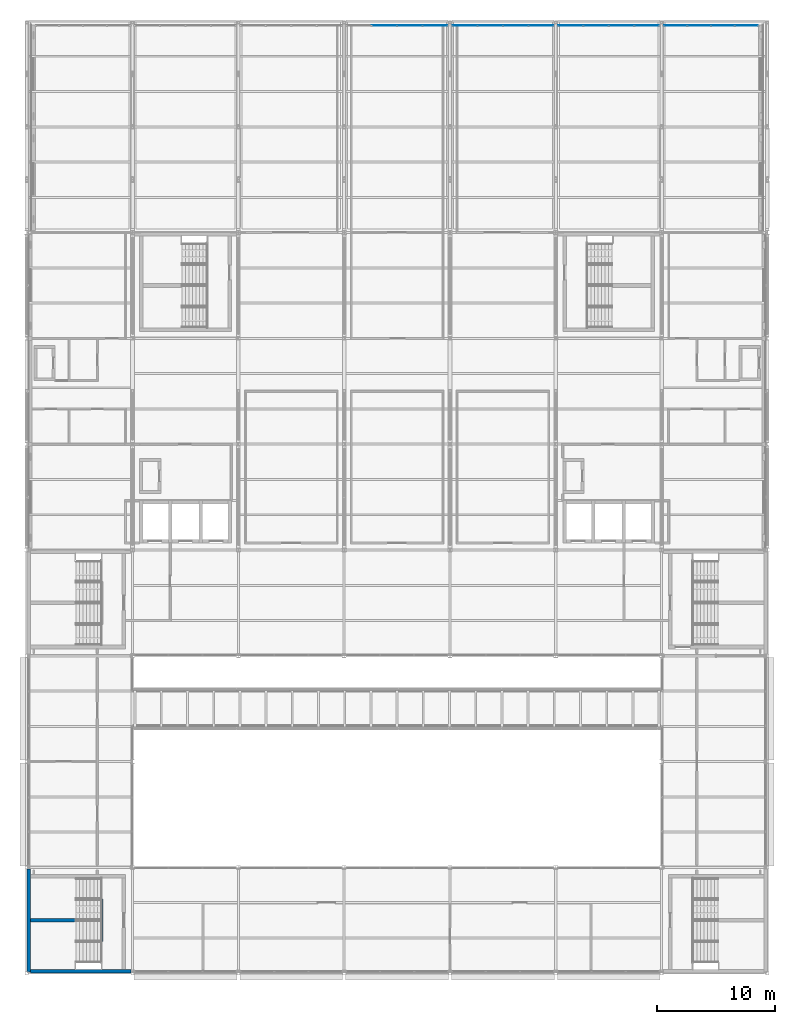
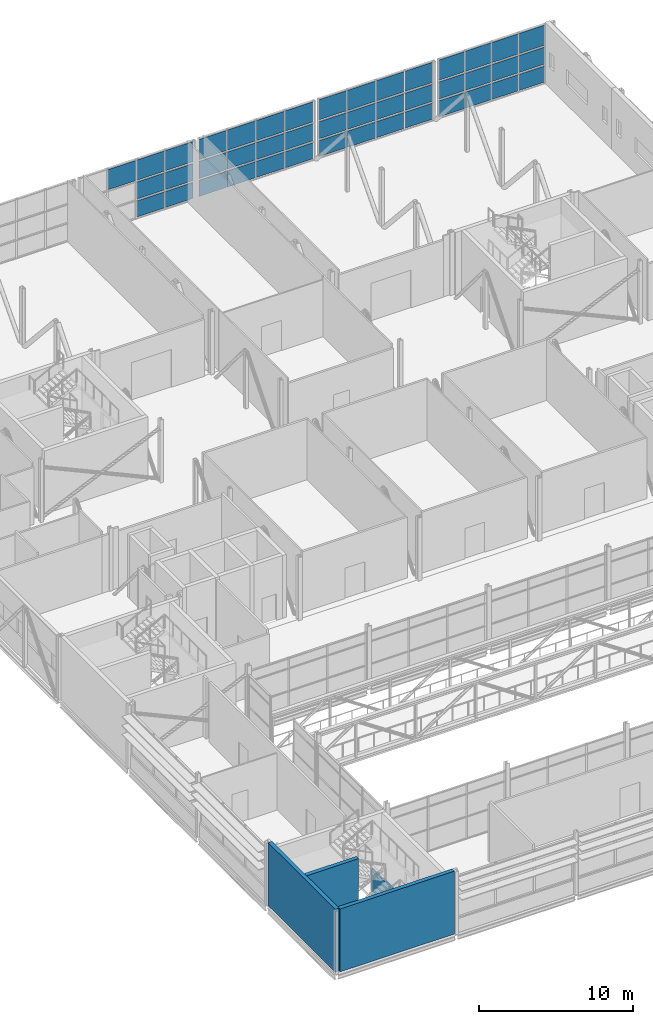
# One storey, part 75 of 94: 43 plates, 4 walls, 4 elements without a shape of their own.
"""IFC4 building model written with IfcOpenShell, lengths in metres."""

from ifc_helpers import new_model, si_unit, direction, frame, frame_2d, origin, origin_2d, place, context, subcontext, project, spatial, rectangle, extrude, material, layer, layer_set, type_object, element, aggregate, save


model = new_model("IFC4")

# Units and contexts
model_context = context("Model", 3, precision=1e-05, world=origin(), true_north=direction((0.0, 1.0)))
body_context = subcontext(model_context, "Body", "Model", "MODEL_VIEW")
ifc_project = project(units=[si_unit("LENGTHUNIT", "METRE"), si_unit("AREAUNIT", "SQUARE_METRE"), si_unit("VOLUMEUNIT", "CUBIC_METRE"), si_unit("PLANEANGLEUNIT", "RADIAN"), si_unit("MASSUNIT", "GRAM", prefix="KILO")], contexts=[model_context])

# Site, building, storey
site_placement = place(None, origin())
site = spatial("IfcSite", under=ifc_project, at=site_placement, CompositionType="ELEMENT")
building_placement = place(site_placement, origin())
building = spatial("IfcBuilding", under=site, at=building_placement, Name="Shorebreak Coast Museum", CompositionType="ELEMENT")
storey_placement = place(building_placement, frame((0.0, 0.0, 31.0)))
storey = spatial("IfcBuildingStorey", under=building, at=storey_placement, Name="L05", CompositionType="ELEMENT", Elevation=31.0)

# Curtain wall, plates
ifc_material_1 = material(Name="Aluminium", Category="aluminium")
ifc_layer_1 = layer(ifc_material_1, 0.14990234375)
ifc_layer_set_1 = layer_set([ifc_layer_1], Name="Aluminium")
curtain_wall_type = type_object("IfcCurtainWallType", Name="Barrel end glazing", PredefinedType="NOTDEFINED", material=ifc_layer_set_1)
curtain_wall_1_placement = place(storey_placement, origin())
curtain_wall_1 = element("IfcCurtainWall", 1, at=curtain_wall_1_placement, inside=storey, type_object=curtain_wall_type, Name="Barrel end glazing L05 4", PredefinedType="NOTDEFINED")
ifc_material_2 = material(Name="Glass", Category="glass")
ifc_layer_2 = layer(ifc_material_2, 0.035888671875)
ifc_layer_set_2 = layer_set([ifc_layer_2], Name="Glass")
plate_type = type_object("IfcPlateType", Name="Barrel glass panel 36", PredefinedType="CURTAIN_PANEL", material=ifc_layer_set_2)
plate_1_placement = place(storey_placement, frame((84.41552734375, 134.60009765625, 3.074951171875), z_axis=(0.0, 0.0, 1.0), x_axis=(1.0, 0.0, 0.0)))
plate_1 = element("IfcPlate", 2, at=plate_1_placement, type_object=plate_type, Name="CW7 panel 2.3", PredefinedType="CURTAIN_PANEL", context=body_context, shape_type="SweptSolid", body=[
    extrude(rectangle(XDim=2.10888671875, YDim=0.035888671875, at=origin_2d()), origin(), (0.0, 0.0, 1.0), 1.60009765625),
])
plate_2_placement = place(storey_placement, frame((86.58447265625, 134.60009765625, 0.150146484375), z_axis=(0.0, 0.0, 1.0), x_axis=(1.0, 0.0, 0.0)))
plate_2 = element("IfcPlate", 3, at=plate_2_placement, type_object=plate_type, Name="CW7 panel 3.1", PredefinedType="CURTAIN_PANEL", context=body_context, shape_type="SweptSolid", body=[
    extrude(rectangle(XDim=2.10888671875, YDim=0.035888671875, at=origin_2d()), origin(), (0.0, 0.0, 1.0), 1.27490234375),
])
plate_3_placement = place(storey_placement, frame((86.58447265625, 134.60009765625, 1.574951171875), z_axis=(0.0, 0.0, 1.0), x_axis=(1.0, 0.0, 0.0)))
plate_3 = element("IfcPlate", 4, at=plate_3_placement, type_object=plate_type, Name="CW7 panel 3.2", PredefinedType="CURTAIN_PANEL", context=body_context, shape_type="SweptSolid", body=[
    extrude(rectangle(XDim=2.10888671875, YDim=0.035888671875, at=origin_2d()), origin(), (0.0, 0.0, 1.0), 1.35009765625),
])
plate_4_placement = place(storey_placement, frame((86.58447265625, 134.60009765625, 3.074951171875), z_axis=(0.0, 0.0, 1.0), x_axis=(1.0, 0.0, 0.0)))
plate_4 = element("IfcPlate", 5, at=plate_4_placement, type_object=plate_type, Name="CW7 panel 3.3", PredefinedType="CURTAIN_PANEL", context=body_context, shape_type="SweptSolid", body=[
    extrude(rectangle(XDim=2.10888671875, YDim=0.035888671875, at=origin_2d()), origin(), (0.0, 0.0, 1.0), 1.60009765625),
])
plate_5_placement = place(storey_placement, frame((88.738525390625, 134.60009765625, 0.150146484375), z_axis=(0.0, 0.0, 1.0), x_axis=(1.0, 0.0, 0.0)))
plate_5 = element("IfcPlate", 6, at=plate_5_placement, type_object=plate_type, Name="CW7 panel 4.1", PredefinedType="CURTAIN_PANEL", context=body_context, shape_type="SweptSolid", body=[
    extrude(rectangle(XDim=2.0791015625, YDim=0.035888671875, at=origin_2d()), origin(), (0.0, 0.0, 1.0), 1.27490234375),
])
plate_6_placement = place(storey_placement, frame((88.738525390625, 134.60009765625, 1.574951171875), z_axis=(0.0, 0.0, 1.0), x_axis=(1.0, 0.0, 0.0)))
plate_6 = element("IfcPlate", 7, at=plate_6_placement, type_object=plate_type, Name="CW7 panel 4.2", PredefinedType="CURTAIN_PANEL", context=body_context, shape_type="SweptSolid", body=[
    extrude(rectangle(XDim=2.0791015625, YDim=0.035888671875, at=origin_2d()), origin(), (0.0, 0.0, 1.0), 1.35009765625),
])
plate_7_placement = place(storey_placement, frame((88.738525390625, 134.60009765625, 3.074951171875), z_axis=(0.0, 0.0, 1.0), x_axis=(1.0, 0.0, 0.0)))
plate_7 = element("IfcPlate", 8, at=plate_7_placement, type_object=plate_type, Name="CW7 panel 4.3", PredefinedType="CURTAIN_PANEL", context=body_context, shape_type="SweptSolid", body=[
    extrude(rectangle(XDim=2.0791015625, YDim=0.035888671875, at=origin_2d()), origin(), (0.0, 0.0, 1.0), 1.60009765625),
])
aggregate(curtain_wall_1, [plate_1, plate_2, plate_3, plate_4, plate_5, plate_6, plate_7])

curtain_wall_2_placement = place(storey_placement, origin())
curtain_wall_2 = element("IfcCurtainWall", 9, at=curtain_wall_2_placement, inside=storey, type_object=curtain_wall_type, Name="Barrel end glazing L05 5", PredefinedType="NOTDEFINED")
plate_8_placement = place(storey_placement, frame((91.261474609375, 134.60009765625, 0.150146484375), z_axis=(0.0, 0.0, 1.0), x_axis=(1.0, 0.0, 0.0)))
plate_8 = element("IfcPlate", 10, at=plate_8_placement, type_object=plate_type, Name="CW7 panel 1.1", PredefinedType="CURTAIN_PANEL", context=body_context, shape_type="SweptSolid", body=[
    extrude(rectangle(XDim=2.0791015625, YDim=0.035888671875, at=origin_2d()), origin(), (0.0, 0.0, 1.0), 1.27490234375),
])
plate_9_placement = place(storey_placement, frame((91.261474609375, 134.60009765625, 1.574951171875), z_axis=(0.0, 0.0, 1.0), x_axis=(1.0, 0.0, 0.0)))
plate_9 = element("IfcPlate", 11, at=plate_9_placement, type_object=plate_type, Name="CW7 panel 1.2", PredefinedType="CURTAIN_PANEL", context=body_context, shape_type="SweptSolid", body=[
    extrude(rectangle(XDim=2.0791015625, YDim=0.035888671875, at=origin_2d()), origin(), (0.0, 0.0, 1.0), 1.35009765625),
])
plate_10_placement = place(storey_placement, frame((91.261474609375, 134.60009765625, 3.074951171875), z_axis=(0.0, 0.0, 1.0), x_axis=(1.0, 0.0, 0.0)))
plate_10 = element("IfcPlate", 12, at=plate_10_placement, type_object=plate_type, Name="CW7 panel 1.3", PredefinedType="CURTAIN_PANEL", context=body_context, shape_type="SweptSolid", body=[
    extrude(rectangle(XDim=2.0791015625, YDim=0.035888671875, at=origin_2d()), origin(), (0.0, 0.0, 1.0), 1.60009765625),
])
plate_11_placement = place(storey_placement, frame((93.41552734375, 134.60009765625, 0.150146484375), z_axis=(0.0, 0.0, 1.0), x_axis=(1.0, 0.0, 0.0)))
plate_11 = element("IfcPlate", 13, at=plate_11_placement, type_object=plate_type, Name="CW7 panel 2.1", PredefinedType="CURTAIN_PANEL", context=body_context, shape_type="SweptSolid", body=[
    extrude(rectangle(XDim=2.10888671875, YDim=0.035888671875, at=origin_2d()), origin(), (0.0, 0.0, 1.0), 1.27490234375),
])
plate_12_placement = place(storey_placement, frame((93.41552734375, 134.60009765625, 1.574951171875), z_axis=(0.0, 0.0, 1.0), x_axis=(1.0, 0.0, 0.0)))
plate_12 = element("IfcPlate", 14, at=plate_12_placement, type_object=plate_type, Name="CW7 panel 2.2", PredefinedType="CURTAIN_PANEL", context=body_context, shape_type="SweptSolid", body=[
    extrude(rectangle(XDim=2.10888671875, YDim=0.035888671875, at=origin_2d()), origin(), (0.0, 0.0, 1.0), 1.35009765625),
])
plate_13_placement = place(storey_placement, frame((93.41552734375, 134.60009765625, 3.074951171875), z_axis=(0.0, 0.0, 1.0), x_axis=(1.0, 0.0, 0.0)))
plate_13 = element("IfcPlate", 15, at=plate_13_placement, type_object=plate_type, Name="CW7 panel 2.3", PredefinedType="CURTAIN_PANEL", context=body_context, shape_type="SweptSolid", body=[
    extrude(rectangle(XDim=2.10888671875, YDim=0.035888671875, at=origin_2d()), origin(), (0.0, 0.0, 1.0), 1.60009765625),
])
plate_14_placement = place(storey_placement, frame((95.58447265625, 134.60009765625, 0.150146484375), z_axis=(0.0, 0.0, 1.0), x_axis=(1.0, 0.0, 0.0)))
plate_14 = element("IfcPlate", 16, at=plate_14_placement, type_object=plate_type, Name="CW7 panel 3.1", PredefinedType="CURTAIN_PANEL", context=body_context, shape_type="SweptSolid", body=[
    extrude(rectangle(XDim=2.10888671875, YDim=0.035888671875, at=origin_2d()), origin(), (0.0, 0.0, 1.0), 1.27490234375),
])
plate_15_placement = place(storey_placement, frame((95.58447265625, 134.60009765625, 1.574951171875), z_axis=(0.0, 0.0, 1.0), x_axis=(1.0, 0.0, 0.0)))
plate_15 = element("IfcPlate", 17, at=plate_15_placement, type_object=plate_type, Name="CW7 panel 3.2", PredefinedType="CURTAIN_PANEL", context=body_context, shape_type="SweptSolid", body=[
    extrude(rectangle(XDim=2.10888671875, YDim=0.035888671875, at=origin_2d()), origin(), (0.0, 0.0, 1.0), 1.35009765625),
])
plate_16_placement = place(storey_placement, frame((95.58447265625, 134.60009765625, 3.074951171875), z_axis=(0.0, 0.0, 1.0), x_axis=(1.0, 0.0, 0.0)))
plate_16 = element("IfcPlate", 18, at=plate_16_placement, type_object=plate_type, Name="CW7 panel 3.3", PredefinedType="CURTAIN_PANEL", context=body_context, shape_type="SweptSolid", body=[
    extrude(rectangle(XDim=2.10888671875, YDim=0.035888671875, at=origin_2d()), origin(), (0.0, 0.0, 1.0), 1.60009765625),
])
plate_17_placement = place(storey_placement, frame((97.738525390625, 134.60009765625, 0.150146484375), z_axis=(0.0, 0.0, 1.0), x_axis=(1.0, 0.0, 0.0)))
plate_17 = element("IfcPlate", 19, at=plate_17_placement, type_object=plate_type, Name="CW7 panel 4.1", PredefinedType="CURTAIN_PANEL", context=body_context, shape_type="SweptSolid", body=[
    extrude(rectangle(XDim=2.0791015625, YDim=0.035888671875, at=origin_2d()), origin(), (0.0, 0.0, 1.0), 1.27490234375),
])
plate_18_placement = place(storey_placement, frame((97.738525390625, 134.60009765625, 1.574951171875), z_axis=(0.0, 0.0, 1.0), x_axis=(1.0, 0.0, 0.0)))
plate_18 = element("IfcPlate", 20, at=plate_18_placement, type_object=plate_type, Name="CW7 panel 4.2", PredefinedType="CURTAIN_PANEL", context=body_context, shape_type="SweptSolid", body=[
    extrude(rectangle(XDim=2.0791015625, YDim=0.035888671875, at=origin_2d()), origin(), (0.0, 0.0, 1.0), 1.35009765625),
])
plate_19_placement = place(storey_placement, frame((97.738525390625, 134.60009765625, 3.074951171875), z_axis=(0.0, 0.0, 1.0), x_axis=(1.0, 0.0, 0.0)))
plate_19 = element("IfcPlate", 21, at=plate_19_placement, type_object=plate_type, Name="CW7 panel 4.3", PredefinedType="CURTAIN_PANEL", context=body_context, shape_type="SweptSolid", body=[
    extrude(rectangle(XDim=2.0791015625, YDim=0.035888671875, at=origin_2d()), origin(), (0.0, 0.0, 1.0), 1.60009765625),
])
aggregate(curtain_wall_2, [plate_8, plate_9, plate_10, plate_11, plate_12, plate_13, plate_14, plate_15, plate_16, plate_17, plate_18, plate_19])

curtain_wall_3_placement = place(storey_placement, origin())
curtain_wall_3 = element("IfcCurtainWall", 22, at=curtain_wall_3_placement, inside=storey, type_object=curtain_wall_type, Name="Barrel end glazing L05 6", PredefinedType="NOTDEFINED")
plate_20_placement = place(storey_placement, frame((100.261474609375, 134.60009765625, 0.150146484375), z_axis=(0.0, 0.0, 1.0), x_axis=(1.0, 0.0, 0.0)))
plate_20 = element("IfcPlate", 23, at=plate_20_placement, type_object=plate_type, Name="CW7 panel 1.1", PredefinedType="CURTAIN_PANEL", context=body_context, shape_type="SweptSolid", body=[
    extrude(rectangle(XDim=2.0791015625, YDim=0.035888671875, at=origin_2d()), origin(), (0.0, 0.0, 1.0), 1.27490234375),
])
plate_21_placement = place(storey_placement, frame((100.261474609375, 134.60009765625, 1.574951171875), z_axis=(0.0, 0.0, 1.0), x_axis=(1.0, 0.0, 0.0)))
plate_21 = element("IfcPlate", 24, at=plate_21_placement, type_object=plate_type, Name="CW7 panel 1.2", PredefinedType="CURTAIN_PANEL", context=body_context, shape_type="SweptSolid", body=[
    extrude(rectangle(XDim=2.0791015625, YDim=0.035888671875, at=origin_2d()), origin(), (0.0, 0.0, 1.0), 1.35009765625),
])
plate_22_placement = place(storey_placement, frame((100.261474609375, 134.60009765625, 3.074951171875), z_axis=(0.0, 0.0, 1.0), x_axis=(1.0, 0.0, 0.0)))
plate_22 = element("IfcPlate", 25, at=plate_22_placement, type_object=plate_type, Name="CW7 panel 1.3", PredefinedType="CURTAIN_PANEL", context=body_context, shape_type="SweptSolid", body=[
    extrude(rectangle(XDim=2.0791015625, YDim=0.035888671875, at=origin_2d()), origin(), (0.0, 0.0, 1.0), 1.60009765625),
])
plate_23_placement = place(storey_placement, frame((102.41552734375, 134.60009765625, 0.150146484375), z_axis=(0.0, 0.0, 1.0), x_axis=(1.0, 0.0, 0.0)))
plate_23 = element("IfcPlate", 26, at=plate_23_placement, type_object=plate_type, Name="CW7 panel 2.1", PredefinedType="CURTAIN_PANEL", context=body_context, shape_type="SweptSolid", body=[
    extrude(rectangle(XDim=2.10888671875, YDim=0.035888671875, at=origin_2d()), origin(), (0.0, 0.0, 1.0), 1.27490234375),
])
plate_24_placement = place(storey_placement, frame((102.41552734375, 134.60009765625, 1.574951171875), z_axis=(0.0, 0.0, 1.0), x_axis=(1.0, 0.0, 0.0)))
plate_24 = element("IfcPlate", 27, at=plate_24_placement, type_object=plate_type, Name="CW7 panel 2.2", PredefinedType="CURTAIN_PANEL", context=body_context, shape_type="SweptSolid", body=[
    extrude(rectangle(XDim=2.10888671875, YDim=0.035888671875, at=origin_2d()), origin(), (0.0, 0.0, 1.0), 1.35009765625),
])
plate_25_placement = place(storey_placement, frame((102.41552734375, 134.60009765625, 3.074951171875), z_axis=(0.0, 0.0, 1.0), x_axis=(1.0, 0.0, 0.0)))
plate_25 = element("IfcPlate", 28, at=plate_25_placement, type_object=plate_type, Name="CW7 panel 2.3", PredefinedType="CURTAIN_PANEL", context=body_context, shape_type="SweptSolid", body=[
    extrude(rectangle(XDim=2.10888671875, YDim=0.035888671875, at=origin_2d()), origin(), (0.0, 0.0, 1.0), 1.60009765625),
])
plate_26_placement = place(storey_placement, frame((104.58447265625, 134.60009765625, 0.150146484375), z_axis=(0.0, 0.0, 1.0), x_axis=(1.0, 0.0, 0.0)))
plate_26 = element("IfcPlate", 29, at=plate_26_placement, type_object=plate_type, Name="CW7 panel 3.1", PredefinedType="CURTAIN_PANEL", context=body_context, shape_type="SweptSolid", body=[
    extrude(rectangle(XDim=2.10888671875, YDim=0.035888671875, at=origin_2d()), origin(), (0.0, 0.0, 1.0), 1.27490234375),
])
plate_27_placement = place(storey_placement, frame((104.58447265625, 134.60009765625, 1.574951171875), z_axis=(0.0, 0.0, 1.0), x_axis=(1.0, 0.0, 0.0)))
plate_27 = element("IfcPlate", 30, at=plate_27_placement, type_object=plate_type, Name="CW7 panel 3.2", PredefinedType="CURTAIN_PANEL", context=body_context, shape_type="SweptSolid", body=[
    extrude(rectangle(XDim=2.10888671875, YDim=0.035888671875, at=origin_2d()), origin(), (0.0, 0.0, 1.0), 1.35009765625),
])
plate_28_placement = place(storey_placement, frame((104.58447265625, 134.60009765625, 3.074951171875), z_axis=(0.0, 0.0, 1.0), x_axis=(1.0, 0.0, 0.0)))
plate_28 = element("IfcPlate", 31, at=plate_28_placement, type_object=plate_type, Name="CW7 panel 3.3", PredefinedType="CURTAIN_PANEL", context=body_context, shape_type="SweptSolid", body=[
    extrude(rectangle(XDim=2.10888671875, YDim=0.035888671875, at=origin_2d()), origin(), (0.0, 0.0, 1.0), 1.60009765625),
])
plate_29_placement = place(storey_placement, frame((106.738525390625, 134.60009765625, 0.150146484375), z_axis=(0.0, 0.0, 1.0), x_axis=(1.0, 0.0, 0.0)))
plate_29 = element("IfcPlate", 32, at=plate_29_placement, type_object=plate_type, Name="CW7 panel 4.1", PredefinedType="CURTAIN_PANEL", context=body_context, shape_type="SweptSolid", body=[
    extrude(rectangle(XDim=2.0791015625, YDim=0.035888671875, at=origin_2d()), origin(), (0.0, 0.0, 1.0), 1.27490234375),
])
plate_30_placement = place(storey_placement, frame((106.738525390625, 134.60009765625, 1.574951171875), z_axis=(0.0, 0.0, 1.0), x_axis=(1.0, 0.0, 0.0)))
plate_30 = element("IfcPlate", 33, at=plate_30_placement, type_object=plate_type, Name="CW7 panel 4.2", PredefinedType="CURTAIN_PANEL", context=body_context, shape_type="SweptSolid", body=[
    extrude(rectangle(XDim=2.0791015625, YDim=0.035888671875, at=origin_2d()), origin(), (0.0, 0.0, 1.0), 1.35009765625),
])
plate_31_placement = place(storey_placement, frame((106.738525390625, 134.60009765625, 3.074951171875), z_axis=(0.0, 0.0, 1.0), x_axis=(1.0, 0.0, 0.0)))
plate_31 = element("IfcPlate", 34, at=plate_31_placement, type_object=plate_type, Name="CW7 panel 4.3", PredefinedType="CURTAIN_PANEL", context=body_context, shape_type="SweptSolid", body=[
    extrude(rectangle(XDim=2.0791015625, YDim=0.035888671875, at=origin_2d()), origin(), (0.0, 0.0, 1.0), 1.60009765625),
])
aggregate(curtain_wall_3, [plate_20, plate_21, plate_22, plate_23, plate_24, plate_25, plate_26, plate_27, plate_28, plate_29, plate_30, plate_31])

curtain_wall_4_placement = place(storey_placement, origin())
curtain_wall_4 = element("IfcCurtainWall", 35, at=curtain_wall_4_placement, inside=storey, type_object=curtain_wall_type, Name="Barrel end glazing L05 7", PredefinedType="NOTDEFINED")
plate_32_placement = place(storey_placement, frame((109.18798828125, 134.60009765625, 0.150146484375), z_axis=(0.0, 0.0, 1.0), x_axis=(1.0, 0.0, 0.0)))
plate_32 = element("IfcPlate", 36, at=plate_32_placement, type_object=plate_type, Name="CW7 panel 1.1", PredefinedType="CURTAIN_PANEL", context=body_context, shape_type="SweptSolid", body=[
    extrude(rectangle(XDim=1.931884765625, YDim=0.035888671875, at=origin_2d()), origin(), (0.0, 0.0, 1.0), 1.27490234375),
])
plate_33_placement = place(storey_placement, frame((109.18798828125, 134.60009765625, 1.574951171875), z_axis=(0.0, 0.0, 1.0), x_axis=(1.0, 0.0, 0.0)))
plate_33 = element("IfcPlate", 37, at=plate_33_placement, type_object=plate_type, Name="CW7 panel 1.2", PredefinedType="CURTAIN_PANEL", context=body_context, shape_type="SweptSolid", body=[
    extrude(rectangle(XDim=1.931884765625, YDim=0.035888671875, at=origin_2d()), origin(), (0.0, 0.0, 1.0), 1.35009765625),
])
plate_34_placement = place(storey_placement, frame((109.18798828125, 134.60009765625, 3.074951171875), z_axis=(0.0, 0.0, 1.0), x_axis=(1.0, 0.0, 0.0)))
plate_34 = element("IfcPlate", 38, at=plate_34_placement, type_object=plate_type, Name="CW7 panel 1.3", PredefinedType="CURTAIN_PANEL", context=body_context, shape_type="SweptSolid", body=[
    extrude(rectangle(XDim=1.931884765625, YDim=0.035888671875, at=origin_2d()), origin(), (0.0, 0.0, 1.0), 1.60009765625),
])
plate_35_placement = place(storey_placement, frame((111.195068359375, 134.60009765625, 0.150146484375), z_axis=(0.0, 0.0, 1.0), x_axis=(1.0, 0.0, 0.0)))
plate_35 = element("IfcPlate", 39, at=plate_35_placement, type_object=plate_type, Name="CW7 panel 2.1", PredefinedType="CURTAIN_PANEL", context=body_context, shape_type="SweptSolid", body=[
    extrude(rectangle(XDim=1.9619140625, YDim=0.035888671875, at=origin_2d()), origin(), (0.0, 0.0, 1.0), 1.27490234375),
])
plate_36_placement = place(storey_placement, frame((111.195068359375, 134.60009765625, 1.574951171875), z_axis=(0.0, 0.0, 1.0), x_axis=(1.0, 0.0, 0.0)))
plate_36 = element("IfcPlate", 40, at=plate_36_placement, type_object=plate_type, Name="CW7 panel 2.2", PredefinedType="CURTAIN_PANEL", context=body_context, shape_type="SweptSolid", body=[
    extrude(rectangle(XDim=1.9619140625, YDim=0.035888671875, at=origin_2d()), origin(), (0.0, 0.0, 1.0), 1.35009765625),
])
plate_37_placement = place(storey_placement, frame((111.195068359375, 134.60009765625, 3.074951171875), z_axis=(0.0, 0.0, 1.0), x_axis=(1.0, 0.0, 0.0)))
plate_37 = element("IfcPlate", 41, at=plate_37_placement, type_object=plate_type, Name="CW7 panel 2.3", PredefinedType="CURTAIN_PANEL", context=body_context, shape_type="SweptSolid", body=[
    extrude(rectangle(XDim=1.9619140625, YDim=0.035888671875, at=origin_2d()), origin(), (0.0, 0.0, 1.0), 1.60009765625),
])
plate_38_placement = place(storey_placement, frame((113.217041015625, 134.60009765625, 0.150146484375), z_axis=(0.0, 0.0, 1.0), x_axis=(1.0, 0.0, 0.0)))
plate_38 = element("IfcPlate", 42, at=plate_38_placement, type_object=plate_type, Name="CW7 panel 3.1", PredefinedType="CURTAIN_PANEL", context=body_context, shape_type="SweptSolid", body=[
    extrude(rectangle(XDim=1.9619140625, YDim=0.035888671875, at=origin_2d()), origin(), (0.0, 0.0, 1.0), 1.27490234375),
])
plate_39_placement = place(storey_placement, frame((113.217041015625, 134.60009765625, 1.574951171875), z_axis=(0.0, 0.0, 1.0), x_axis=(1.0, 0.0, 0.0)))
plate_39 = element("IfcPlate", 43, at=plate_39_placement, type_object=plate_type, Name="CW7 panel 3.2", PredefinedType="CURTAIN_PANEL", context=body_context, shape_type="SweptSolid", body=[
    extrude(rectangle(XDim=1.9619140625, YDim=0.035888671875, at=origin_2d()), origin(), (0.0, 0.0, 1.0), 1.35009765625),
])
plate_40_placement = place(storey_placement, frame((113.217041015625, 134.60009765625, 3.074951171875), z_axis=(0.0, 0.0, 1.0), x_axis=(1.0, 0.0, 0.0)))
plate_40 = element("IfcPlate", 44, at=plate_40_placement, type_object=plate_type, Name="CW7 panel 3.3", PredefinedType="CURTAIN_PANEL", context=body_context, shape_type="SweptSolid", body=[
    extrude(rectangle(XDim=1.9619140625, YDim=0.035888671875, at=origin_2d()), origin(), (0.0, 0.0, 1.0), 1.60009765625),
])
plate_41_placement = place(storey_placement, frame((115.22412109375, 134.60009765625, 0.150146484375), z_axis=(0.0, 0.0, 1.0), x_axis=(1.0, 0.0, 0.0)))
plate_41 = element("IfcPlate", 45, at=plate_41_placement, type_object=plate_type, Name="CW7 panel 4.1", PredefinedType="CURTAIN_PANEL", context=body_context, shape_type="SweptSolid", body=[
    extrude(rectangle(XDim=1.931884765625, YDim=0.035888671875, at=origin_2d()), origin(), (0.0, 0.0, 1.0), 1.27490234375),
])
plate_42_placement = place(storey_placement, frame((115.22412109375, 134.60009765625, 1.574951171875), z_axis=(0.0, 0.0, 1.0), x_axis=(1.0, 0.0, 0.0)))
plate_42 = element("IfcPlate", 46, at=plate_42_placement, type_object=plate_type, Name="CW7 panel 4.2", PredefinedType="CURTAIN_PANEL", context=body_context, shape_type="SweptSolid", body=[
    extrude(rectangle(XDim=1.931884765625, YDim=0.035888671875, at=origin_2d()), origin(), (0.0, 0.0, 1.0), 1.35009765625),
])
plate_43_placement = place(storey_placement, frame((115.22412109375, 134.60009765625, 3.074951171875), z_axis=(0.0, 0.0, 1.0), x_axis=(1.0, 0.0, 0.0)))
plate_43 = element("IfcPlate", 47, at=plate_43_placement, type_object=plate_type, Name="CW7 panel 4.3", PredefinedType="CURTAIN_PANEL", context=body_context, shape_type="SweptSolid", body=[
    extrude(rectangle(XDim=1.931884765625, YDim=0.035888671875, at=origin_2d()), origin(), (0.0, 0.0, 1.0), 1.60009765625),
])
aggregate(curtain_wall_4, [plate_32, plate_33, plate_34, plate_35, plate_36, plate_37, plate_38, plate_39, plate_40, plate_41, plate_42, plate_43])

# Walls
ifc_material_3 = material(Name="Concrete N50 (50 MPa)", Category="concrete")
ifc_layer_3 = layer(ifc_material_3, 0.300048828125)
ifc_layer_set_3 = layer_set([ifc_layer_3], Name="Concrete N50 (50 MPa)")
wall_type_1 = type_object("IfcWallType", Name="RC wall 300", PredefinedType="SHEAR", material=ifc_layer_set_3)
wall_1_placement = place(storey_placement, frame((54.300048828125, 54.14990234375, 0.0), z_axis=(0.0, 0.0, 1.0), x_axis=(1.0, 0.0, 0.0)))
element("IfcWall", 48, at=wall_1_placement, inside=storey, type_object=wall_type_1, Name="Stair core wall ST01 L05 S", PredefinedType="SHEAR", context=body_context, shape_type="SweptSolid", body=[
    extrude(rectangle(XDim=8.574951171875, YDim=0.300048828125, at=frame_2d((4.28759765625, 0.0))), origin(), (0.0, 0.0, 1.0), 5.0),
])
wall_2_placement = place(storey_placement, frame((54.14990234375, 54.125, 0.0), z_axis=(0.0, 0.0, 1.0), x_axis=(0.0, 1.0, 0.0)))
element("IfcWall", 49, at=wall_2_placement, inside=storey, type_object=wall_type_1, Name="Stair core wall ST01 L05 W", PredefinedType="SHEAR", context=body_context, shape_type="SweptSolid", body=[
    extrude(rectangle(XDim=8.75, YDim=0.300048828125, at=frame_2d((4.375, 0.0))), origin(), (0.0, 0.0, 1.0), 5.0),
])
wall_3_placement = place(storey_placement, frame((58.199951171875, 58.5, 0.0), z_axis=(0.0, 0.0, 1.0), x_axis=(-1.0, 0.0, 0.0)))
element("IfcWall", 50, at=wall_3_placement, inside=storey, type_object=wall_type_1, Name="Stair spine wall ST01 L05", PredefinedType="SHEAR", context=body_context, shape_type="SweptSolid", body=[
    extrude(rectangle(XDim=3.89990234375, YDim=0.300048828125, at=frame_2d((1.949951171875, 0.0))), origin(), (0.0, 0.0, 1.0), 5.0),
])
ifc_material_4 = material(Name="Concrete N50 (50 MPa)", Category="concrete")
ifc_layer_4 = layer(ifc_material_4, 0.14990234375)
ifc_layer_set_4 = layer_set([ifc_layer_4], Name="Concrete N50 (50 MPa)")
wall_type_2 = type_object("IfcWallType", Name="Understair wall 150", PredefinedType="STANDARD", material=ifc_layer_set_4)
wall_4_placement = place(storey_placement, frame((60.375, 56.699951171875, 0.0), z_axis=(0.0, 0.0, 1.0), x_axis=(0.0, 1.0, 0.0)))
element("IfcWall", 51, at=wall_4_placement, inside=storey, type_object=wall_type_2, Name="Understair wall ST01 L05 floor", PredefinedType="STANDARD", context=body_context, shape_type="SweptSolid", body=[
    extrude(rectangle(XDim=3.60009765625, YDim=0.14990234375, at=frame_2d((1.800048828125, 0.0))), origin(), (0.0, 0.0, 1.0), 2.300048828125),
])

save(model, "model.ifc")
